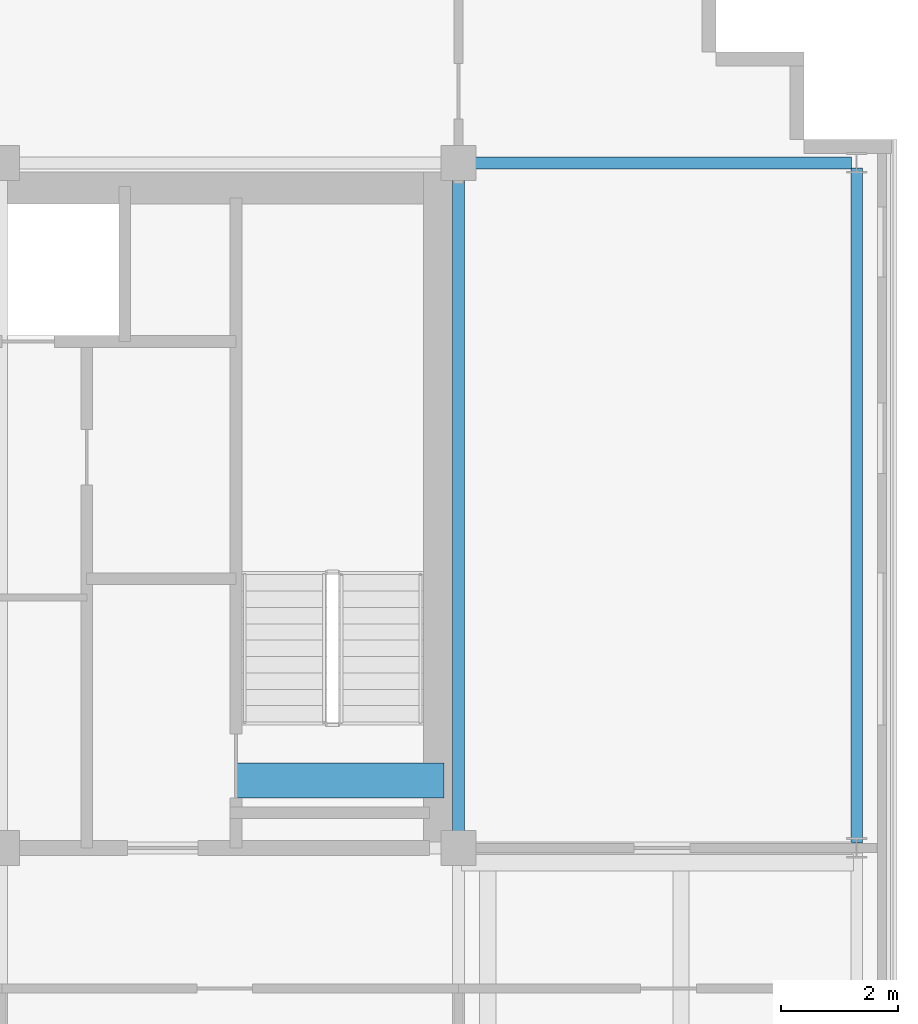
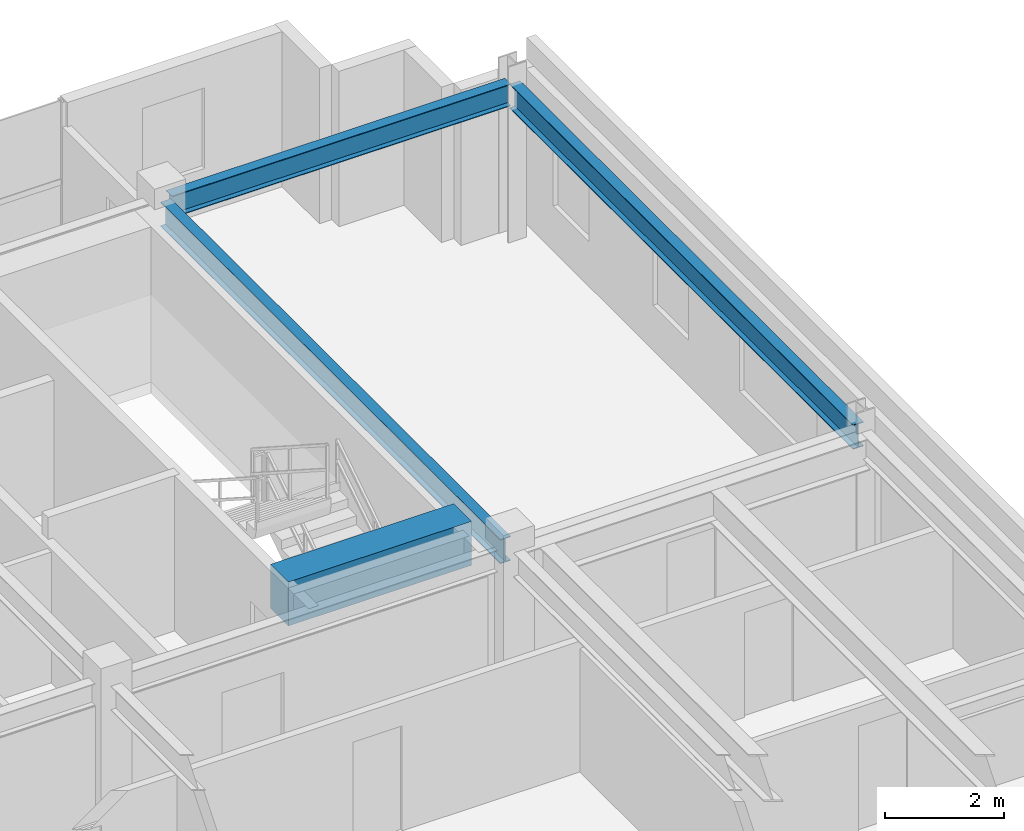
# One storey, part 17 of 26: 4 beams.
"""IFC4 building model written with IfcOpenShell, lengths in metres."""

from ifc_helpers import new_model, si_unit, direction, frame, origin, origin_2d, place, context, subcontext, project, spatial, rectangle, i_section, extrude, source, transform, mapped, material, material_profile, profile_set, type_object, element, save


model = new_model("IFC4")

# Units and contexts
model_context = context("Model", 3, precision=1e-05, world=origin(), true_north=direction((0.0, 1.0)))
body_context = subcontext(model_context, "Body", "Model", "MODEL_VIEW")
ifc_project = project(units=[si_unit("LENGTHUNIT", "METRE"), si_unit("AREAUNIT", "SQUARE_METRE"), si_unit("VOLUMEUNIT", "CUBIC_METRE"), si_unit("PLANEANGLEUNIT", "RADIAN"), si_unit("MASSUNIT", "GRAM", prefix="KILO")], contexts=[model_context])

# Site, building, storey
site_placement = place(None, origin())
site = spatial("IfcSite", under=ifc_project, at=site_placement, CompositionType="ELEMENT")
building_placement = place(site_placement, origin())
building = spatial("IfcBuilding", under=site, at=building_placement, Name="Trelvane Seafront Commons", CompositionType="ELEMENT")
storey_placement = place(building_placement, frame((0.0, 0.0, 291.89990234375)))
storey = spatial("IfcBuildingStorey", under=building, at=storey_placement, Name="L76", CompositionType="ELEMENT", Elevation=291.89990234375)

# Beams
ifc_material_1 = material(Name="Concrete C60/75", Category="concrete")
ifc_material_profile_1 = material_profile(ifc_material_1, rectangle(XDim=0.60009765625, YDim=0.89990234375, at=origin_2d()), Name="RC-600x900")
ifc_profile_set_1 = profile_set([ifc_material_profile_1], Name="Concrete C60/75")
beam_type_1 = type_object("IfcBeamType", Name="STR-LNT-RC600x900", PredefinedType="LINTEL", material=ifc_profile_set_1)
shared_shape_1 = source(origin(), body_context, "Body", "SweptSolid", [
    extrude(rectangle(XDim=0.60009765625, YDim=0.89990234375, at=origin_2d()), origin(), (0.0, 0.0, 1.0), 3.550048828125),
])
beam_1_placement = place(storey_placement, frame((55.0, 34.550048828125, 2.72998046875), z_axis=(1.0, 0.0, 0.0), x_axis=(0.0, 1.0, 0.0)))
element("IfcBeam", 1, at=beam_1_placement, inside=storey, type_object=beam_type_1, Name="L76 Core Coupling Lintel Beam CB-67", PredefinedType="LINTEL", context=body_context, shape_type="MappedRepresentation", body=[
    mapped(shared_shape_1, transform((0.0, 0.0, 0.0), x_axis=(1.0, 0.0, 0.0), y_axis=(0.0, 1.0, 0.0), z_axis=(0.0, 0.0, 1.0), scale=1.0)),
])
ifc_material_2 = material(Name="Steel SM355 (S355)", Category="steel")
ifc_material_profile_2 = material_profile(ifc_material_2, i_section(OverallWidth=0.199951171875, OverallDepth=0.5, WebThickness=0.010009765625, FlangeThickness=0.01611328125, at=origin_2d()), Name="H-500x200x10x16")
ifc_profile_set_2 = profile_set([ifc_material_profile_2], Name="Steel SM355 (S355)")
beam_type_2 = type_object("IfcBeamType", Name="STR-BM-H500", PredefinedType="BEAM", material=ifc_profile_set_2)
shared_shape_2 = source(origin(), body_context, "Body", "SweptSolid", [
    extrude(i_section(OverallWidth=0.199951171875, OverallDepth=0.5, WebThickness=0.010009765625, FlangeThickness=0.01611328125, at=origin_2d()), origin(), (0.0, 0.0, 1.0), 11.39990234375),
])
beam_2_placement = place(storey_placement, frame((58.800048828125, 33.550048828125, 2.93017578125), z_axis=(0.0, 1.0, 0.0), x_axis=(-1.0, 0.0, 0.0)))
element("IfcBeam", 2, at=beam_2_placement, inside=storey, type_object=beam_type_2, Name="L76 Primary Girder G-49", PredefinedType="BEAM", context=body_context, shape_type="MappedRepresentation", body=[
    mapped(shared_shape_2, transform((0.0, 0.0, 0.0), x_axis=(1.0, 0.0, 0.0), y_axis=(0.0, 1.0, 0.0), z_axis=(0.0, 0.0, 1.0), scale=1.0)),
])
ifc_material_profile_3 = material_profile(ifc_material_2, i_section(OverallWidth=0.199951171875, OverallDepth=0.449951171875, WebThickness=0.009033203125, FlangeThickness=0.013916015625, at=origin_2d()), Name="H-450x200x9x14")
ifc_profile_set_3 = profile_set([ifc_material_profile_3], Name="Steel SM355 (S355)")
beam_type_3 = type_object("IfcBeamType", Name="STR-SPD-H450", PredefinedType="SPANDREL", material=ifc_profile_set_3)
shared_shape_3 = source(origin(), body_context, "Body", "SweptSolid", [
    extrude(i_section(OverallWidth=0.199951171875, OverallDepth=0.449951171875, WebThickness=0.009033203125, FlangeThickness=0.013916015625, at=origin_2d()), origin(), (0.0, 0.0, 1.0), 6.5625),
])
beam_3_placement = place(storey_placement, frame((58.949951171875, 45.10009765625, 2.955078125), z_axis=(1.0, 0.0, 0.0), x_axis=(0.0, 1.0, 0.0)))
element("IfcBeam", 3, at=beam_3_placement, inside=storey, type_object=beam_type_3, Name="L76 Primary Girder G-28", PredefinedType="SPANDREL", context=body_context, shape_type="MappedRepresentation", body=[
    mapped(shared_shape_3, transform((0.0, 0.0, 0.0), x_axis=(1.0, 0.0, 0.0), y_axis=(0.0, 1.0, 0.0), z_axis=(0.0, 0.0, 1.0), scale=1.0)),
])
shared_shape_4 = source(origin(), body_context, "Body", "SweptSolid", [
    extrude(i_section(OverallWidth=0.199951171875, OverallDepth=0.5, WebThickness=0.010009765625, FlangeThickness=0.01611328125, at=origin_2d()), origin(), (0.0, 0.0, 1.0), 11.52490234375),
])
beam_4_placement = place(storey_placement, frame((65.60009765625, 33.487548828125, 2.93017578125), z_axis=(0.0, 1.0, 0.0), x_axis=(-1.0, 0.0, 0.0)))
element("IfcBeam", 4, at=beam_4_placement, inside=storey, type_object=beam_type_2, Name="L76 Primary Girder G-52", PredefinedType="BEAM", context=body_context, shape_type="MappedRepresentation", body=[
    mapped(shared_shape_4, transform((0.0, 0.0, 0.0), x_axis=(1.0, 0.0, 0.0), y_axis=(0.0, 1.0, 0.0), z_axis=(0.0, 0.0, 1.0), scale=1.0)),
])

save(model, "model.ifc")
